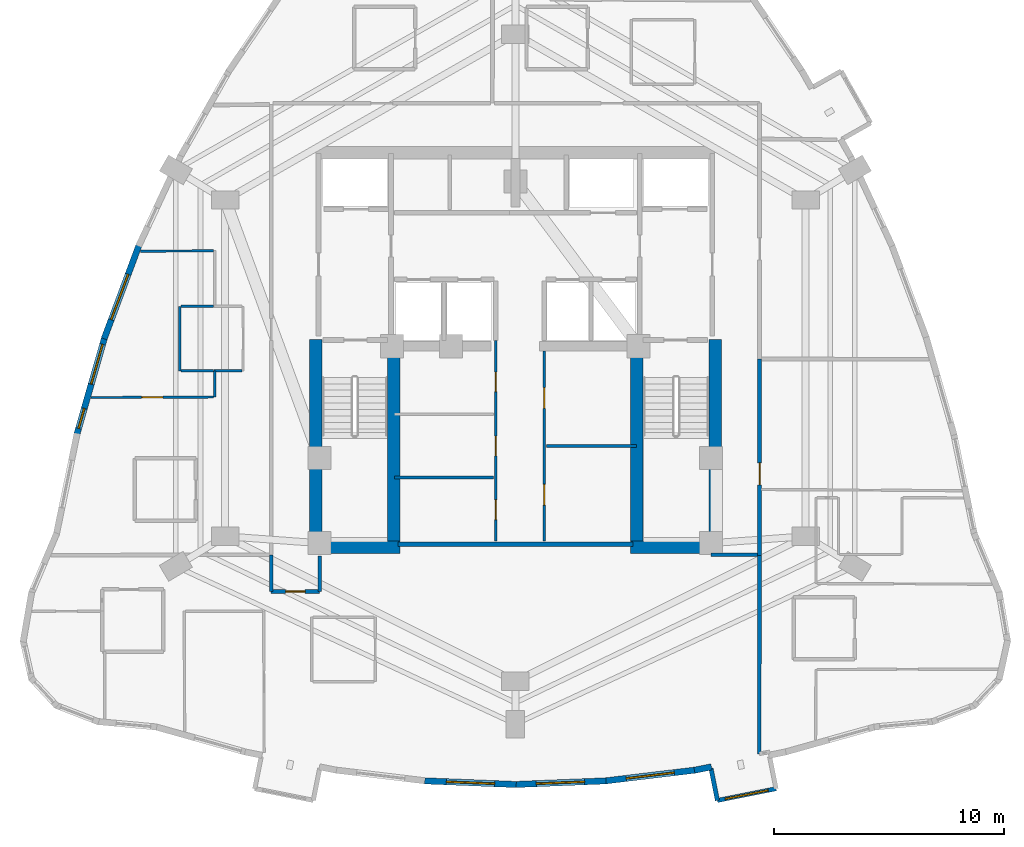
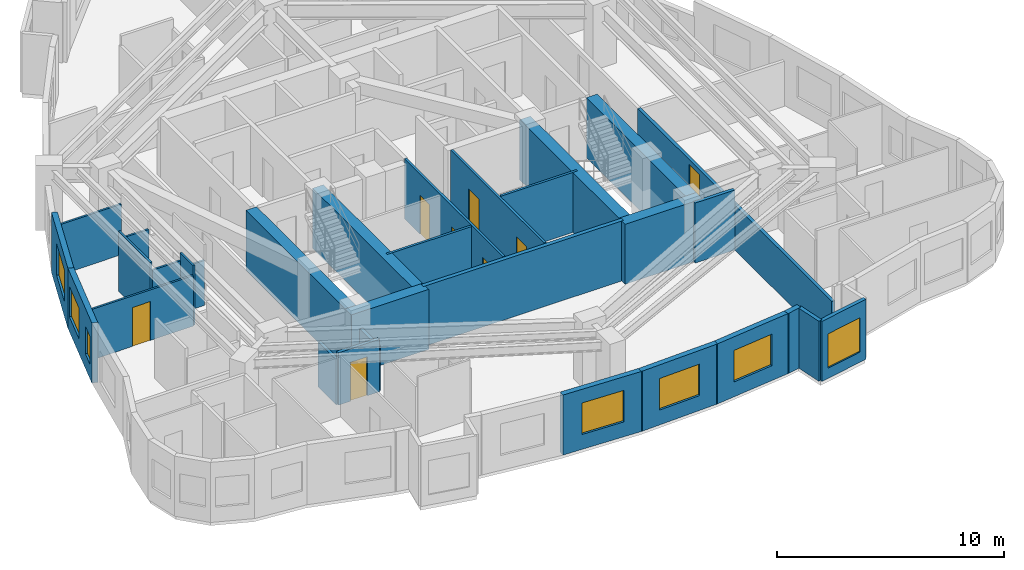
# One storey, part 6 of 11: 32 walls, 8 doors, 7 windows, 15 openings.
"""IFC4 building model written with IfcOpenShell, lengths in metres."""

from ifc_helpers import new_model, si_unit, direction, frame, frame_2d, origin, place, context, subcontext, project, spatial, rectangle, extrude, material, layer, layer_set, type_object, element, fill, save


model = new_model("IFC4")

# Units and contexts
model_context = context("Model", 3, precision=1e-05, world=origin(), true_north=direction((0.0, 1.0)))
body_context = subcontext(model_context, "Body", "Model", "MODEL_VIEW")
ifc_project = project(units=[si_unit("LENGTHUNIT", "METRE"), si_unit("AREAUNIT", "SQUARE_METRE"), si_unit("VOLUMEUNIT", "CUBIC_METRE"), si_unit("PLANEANGLEUNIT", "RADIAN"), si_unit("MASSUNIT", "GRAM", prefix="KILO")], contexts=[model_context])

# Site, building, storey
site_placement = place(None, origin())
site = spatial("IfcSite", under=ifc_project, at=site_placement, CompositionType="ELEMENT")
building_placement = place(site_placement, origin())
building = spatial("IfcBuilding", under=site, at=building_placement, Name="Miruveldt Soraemaru", CompositionType="ELEMENT")
storey_placement = place(building_placement, frame((0.0, 0.0, 156.39990234375)))
storey = spatial("IfcBuildingStorey", under=building, at=storey_placement, Name="L43", CompositionType="ELEMENT", Elevation=156.39990234375)

# Wall
ifc_material_1 = material(Name="White powder-coated aluminium EN AW-6060 T6", Category="aluminium")
ifc_layer_1 = layer(ifc_material_1, 0.18994140625, Name="White powder-coated aluminium EN AW-6060 T6", Category="aluminium")
ifc_layer_set_1 = layer_set([ifc_layer_1], Name="White powder-coated aluminium EN AW-6060 T6")
wall_type_1 = type_object("IfcWallType", Name="WALL-BAY-ALU190", PredefinedType="SOLIDWALL", material=ifc_layer_set_1)
wall_1_placement = place(storey_placement, frame((52.490234375, 25.728271484375, 0.0), z_axis=(0.0, 0.0, 1.0), x_axis=(0.196149079112, -0.980574086321, 0.0)))
element("IfcWall", 1, at=wall_1_placement, inside=storey, type_object=wall_type_1, Name="L43 Bay Window Side Cheek 2L", PredefinedType="SOLIDWALL", context=body_context, shape_type="SweptSolid", body=[
    extrude(rectangle(XDim=1.425048828125, YDim=0.18994140625, at=frame_2d((0.71240234375, 0.0))), origin(), (0.0, 0.0, 1.0), 3.235107421875),
])

# Wall, opening, window
wall_2_placement = place(storey_placement, frame((52.769775390625, 24.330810546875, 0.0), z_axis=(0.0, 0.0, 1.0), x_axis=(0.980569838849, 0.196170311564, 0.0)))
wall_2 = element("IfcWall", 2, at=wall_2_placement, inside=storey, type_object=wall_type_1, Name="L43 Bay Window Front Frame 2", PredefinedType="SOLIDWALL", context=body_context, shape_type="SweptSolid", body=[
    extrude(rectangle(XDim=2.599853515625, YDim=0.18994140625, at=frame_2d((1.2998046875, 0.0))), origin(), (0.0, 0.0, 1.0), 3.235107421875),
])
opening_1_placement = place(wall_2_placement, frame((0.35009765625, 0.0, 0.550048828125)))
opening_1 = element("IfcOpeningElement", 3, at=opening_1_placement, cuts=wall_2, Name="Opening WN-6", PredefinedType="OPENING", context=body_context, shape_type="SweptSolid", body=[
    extrude(rectangle(XDim=1.89990234375, YDim=1.85009765625, at=frame_2d((0.949951171875, 0.925048828125))), frame((0.0, 0.10498046875, 0.0), z_axis=(0.0, -1.0, 0.0), x_axis=(1.0, 0.0, 0.0)), (0.0, 0.0, 1.0), 0.2099609375),
])
ifc_material_2 = material(Name="Triple low-e insulated glazing", Category="glass")
window_type_1 = type_object("IfcWindowType", Name="WIN-BAYW-1900x1850", PartitioningType="SINGLE_PANEL", PredefinedType="WINDOW", material=ifc_material_2)
window_1_placement = place(opening_1_placement, origin())
window_1 = element("IfcWindow", 4, at=window_1_placement, inside=storey, type_object=window_type_1, Name="L43 Projecting Bay Window 2", OverallHeight=1.85009765625, OverallWidth=1.89990234375, PartitioningType="SINGLE_PANEL", PredefinedType="WINDOW", context=body_context, shape_type="SweptSolid", body=[
    extrude(rectangle(XDim=1.89990234375, YDim=1.85009765625, at=frame_2d((0.949951171875, 0.925048828125))), frame((0.0, 0.030029296875, 0.0), z_axis=(0.0, -1.0, 0.0), x_axis=(1.0, 0.0, 0.0)), (0.0, 0.0, 1.0), 0.06005859375),
])
fill(opening_1, window_1)

# Walls
ifc_material_3 = material(Name="Concrete C70/85 (70 MPa)", Category="concrete")
ifc_layer_2 = layer(ifc_material_3, 0.550048828125, Name="Concrete C70/85 (70 MPa)", Category="concrete")
ifc_layer_set_2 = layer_set([ifc_layer_2], Name="Concrete C70/85 (70 MPa)")
wall_type_2 = type_object("IfcWallType", Name="WALL-CW-550", PredefinedType="SHEAR", material=ifc_layer_set_2)
for number, where, z_axis, x_axis, name in (
    (5, (35.050048828125, 35.324951171875, 0.0), (0.0, 0.0, 1.0), (1.0, 0.0, 0.0), "L43 Central Core Shear Wall S1"),
    (6, (49.0, 35.324951171875, 0.0), (0.0, 0.0, 1.0), (1.0, 0.0, 0.0), "L43 Central Core Shear Wall S2"),
):
    element("IfcWall", number, at=place(storey_placement, frame(where, z_axis=z_axis, x_axis=x_axis)), inside=storey, type_object=wall_type_2, Name=name, PredefinedType="SHEAR", context=body_context, shape_type="SweptSolid", body=[
        extrude(rectangle(XDim=3.949951171875, YDim=0.550048828125, at=frame_2d((1.97509765625, 0.0))), origin(), (0.0, 0.0, 1.0), 3.235107421875),
    ])
for number, where, z_axis, x_axis, name in (
    (7, (35.324951171875, 35.050048828125, 0.0), (0.0, 0.0, 1.0), (0.0, 1.0, 0.0), "L43 Central Core Shear Wall W1"),
    (8, (52.675048828125, 35.050048828125, 0.0), (0.0, 0.0, 1.0), (0.0, 1.0, 0.0), "L43 Central Core Shear Wall E1"),
):
    element("IfcWall", number, at=place(storey_placement, frame(where, z_axis=z_axis, x_axis=x_axis)), inside=storey, type_object=wall_type_2, Name=name, PredefinedType="SHEAR", context=body_context, shape_type="SweptSolid", body=[
        extrude(rectangle(XDim=9.300048828125, YDim=0.550048828125, at=frame_2d((4.64990234375, 0.0))), origin(), (0.0, 0.0, 1.0), 3.235107421875),
    ])
for number, where, z_axis, x_axis, name in (
    (9, (38.72509765625, 35.39990234375, 0.0), (0.0, 0.0, 1.0), (0.0, 1.0, 0.0), "L43 Central Core Shear Wall SW-INT"),
    (10, (49.27490234375, 35.39990234375, 0.0), (0.0, 0.0, 1.0), (0.0, 1.0, 0.0), "L43 Central Core Shear Wall SE-INT"),
):
    element("IfcWall", number, at=place(storey_placement, frame(where, z_axis=z_axis, x_axis=x_axis)), inside=storey, type_object=wall_type_2, Name=name, PredefinedType="SHEAR", context=body_context, shape_type="SweptSolid", body=[
        extrude(rectangle(XDim=8.9501953125, YDim=0.550048828125, at=frame_2d((4.47509765625, 0.0))), origin(), (0.0, 0.0, 1.0), 3.235107421875),
    ])

# Wall, opening, window
ifc_material_4 = material(Name="Precast concrete C45/55 (45 MPa)", Category="concrete")
ifc_layer_3 = layer(ifc_material_4, 0.27001953125, Name="Precast concrete C45/55 (45 MPa)", Category="concrete")
ifc_layer_set_3 = layer_set([ifc_layer_3], Name="Precast concrete C45/55 (45 MPa)")
wall_type_3 = type_object("IfcWallType", Name="WALL-EXT-PC270", PredefinedType="SOLIDWALL", material=ifc_layer_set_3)
wall_3_placement = place(storey_placement, frame((27.666259765625, 48.458984375, 0.0), z_axis=(0.0, 0.0, 1.0), x_axis=(-0.349059830359, -0.937100440097, 0.0)))
wall_3 = element("IfcWall", 11, at=wall_3_placement, inside=storey, type_object=wall_type_3, Name="L43 Precast Concrete Facade Wall 12", PredefinedType="SOLIDWALL", context=body_context, shape_type="SweptSolid", body=[
    extrude(rectangle(XDim=4.358154296875, YDim=0.27001953125, at=frame_2d((2.17919921875, 0.0))), origin(), (0.0, 0.0, 1.0), 3.235107421875),
])
opening_2_placement = place(wall_3_placement, frame((1.375, 0.0, 0.800048828125)))
opening_2 = element("IfcOpeningElement", 12, at=opening_2_placement, cuts=wall_3, Name="Opening WN-1", PredefinedType="OPENING", context=body_context, shape_type="SweptSolid", body=[
    extrude(rectangle(XDim=2.10009765625, YDim=1.699951171875, at=frame_2d((1.050048828125, 0.85009765625))), frame((0.0, 0.14501953125, 0.0), z_axis=(0.0, -1.0, 0.0), x_axis=(1.0, 0.0, 0.0)), (0.0, 0.0, 1.0), 0.2900390625),
])
window_type_2 = type_object("IfcWindowType", Name="WIN-PUNCH-2100x1700", PartitioningType="SINGLE_PANEL", PredefinedType="WINDOW", material=ifc_material_2)
window_2_placement = place(opening_2_placement, origin())
window_2 = element("IfcWindow", 13, at=window_2_placement, inside=storey, type_object=window_type_2, Name="L43 Punched Triple-Glazed Window 12.1", OverallHeight=1.699951171875, OverallWidth=2.10009765625, PartitioningType="SINGLE_PANEL", PredefinedType="WINDOW", context=body_context, shape_type="SweptSolid", body=[
    extrude(rectangle(XDim=2.10009765625, YDim=1.699951171875, at=frame_2d((1.050048828125, 0.85009765625))), frame((0.0, 0.030029296875, 0.0), z_axis=(0.0, -1.0, 0.0), x_axis=(1.0, 0.0, 0.0)), (0.0, 0.0, 1.0), 0.06005859375),
])
fill(opening_2, window_2)

# Wall, openings, windows
wall_4_placement = place(storey_placement, frame((26.1669921875, 44.44140625, 0.0), z_axis=(0.0, 0.0, 1.0), x_axis=(-0.274962298685, -0.961455008985, 0.0)))
wall_4 = element("IfcWall", 14, at=wall_4_placement, inside=storey, type_object=wall_type_3, Name="L43 Precast Concrete Facade Wall 13", PredefinedType="SOLIDWALL", context=body_context, shape_type="SweptSolid", body=[
    extrude(rectangle(XDim=4.412109375, YDim=0.27001953125, at=frame_2d((2.2060546875, 0.0))), origin(), (0.0, 0.0, 1.0), 3.235107421875),
])
opening_3_placement = place(wall_4_placement, frame((0.320068359375, 0.0, 0.800048828125)))
opening_3 = element("IfcOpeningElement", 15, at=opening_3_placement, cuts=wall_4, Name="Opening WN-2", PredefinedType="OPENING", context=body_context, shape_type="SweptSolid", body=[
    extrude(rectangle(XDim=1.800048828125, YDim=1.64990234375, at=frame_2d((0.89990234375, 0.824951171875))), frame((0.0, 0.14501953125, 0.0), z_axis=(0.0, -1.0, 0.0), x_axis=(1.0, 0.0, 0.0)), (0.0, 0.0, 1.0), 0.2900390625),
])
opening_4_placement = place(wall_4_placement, frame((3.216064453125, 0.0, 0.780029296875)))
opening_4 = element("IfcOpeningElement", 16, at=opening_4_placement, cuts=wall_4, Name="Opening WN-7", PredefinedType="OPENING", context=body_context, shape_type="SweptSolid", body=[
    extrude(rectangle(XDim=0.89990234375, YDim=1.5, at=frame_2d((0.449951171875, 0.75))), frame((0.0, 0.14501953125, 0.0), z_axis=(0.0, -1.0, 0.0), x_axis=(1.0, 0.0, 0.0)), (0.0, 0.0, 1.0), 0.2900390625),
])
window_type_3 = type_object("IfcWindowType", Name="WIN-PUNCH-1800x1650", PartitioningType="SINGLE_PANEL", PredefinedType="WINDOW", material=ifc_material_2)
window_3_placement = place(opening_3_placement, origin())
window_3 = element("IfcWindow", 17, at=window_3_placement, inside=storey, type_object=window_type_3, Name="L43 Punched Triple-Glazed Window 13.1", OverallHeight=1.64990234375, OverallWidth=1.800048828125, PartitioningType="SINGLE_PANEL", PredefinedType="WINDOW", context=body_context, shape_type="SweptSolid", body=[
    extrude(rectangle(XDim=1.800048828125, YDim=1.64990234375, at=frame_2d((0.89990234375, 0.824951171875))), frame((0.0, 0.030029296875, 0.0), z_axis=(0.0, -1.0, 0.0), x_axis=(1.0, 0.0, 0.0)), (0.0, 0.0, 1.0), 0.06005859375),
])
fill(opening_3, window_3)
window_type_4 = type_object("IfcWindowType", Name="WIN-PUNCH-900x1500", PartitioningType="SINGLE_PANEL", PredefinedType="WINDOW", material=ifc_material_2)
window_4_placement = place(opening_4_placement, origin())
window_4 = element("IfcWindow", 18, at=window_4_placement, inside=storey, type_object=window_type_4, Name="L43 Punched Triple-Glazed Window 13.2", OverallHeight=1.5, OverallWidth=0.89990234375, PartitioningType="SINGLE_PANEL", PredefinedType="WINDOW", context=body_context, shape_type="SweptSolid", body=[
    extrude(rectangle(XDim=0.89990234375, YDim=1.5, at=frame_2d((0.449951171875, 0.75))), frame((0.0, 0.030029296875, 0.0), z_axis=(0.0, -1.0, 0.0), x_axis=(1.0, 0.0, 0.0)), (0.0, 0.0, 1.0), 0.06005859375),
])
fill(opening_4, window_4)

# Wall, opening, window
wall_5_placement = place(storey_placement, frame((40.063232421875, 25.18017578125, 0.0), z_axis=(0.0, 0.0, 1.0), x_axis=(0.999202723856, -0.039923885573, 0.0)))
wall_5 = element("IfcWall", 19, at=wall_5_placement, inside=storey, type_object=wall_type_3, Name="L43 Precast Concrete Facade Wall 24", PredefinedType="SOLIDWALL", context=body_context, shape_type="SweptSolid", body=[
    extrude(rectangle(XDim=3.974853515625, YDim=0.27001953125, at=frame_2d((1.9873046875, 0.0))), origin(), (0.0, 0.0, 1.0), 3.235107421875),
])
opening_5_placement = place(wall_5_placement, frame((0.93798828125, 0.0, 0.800048828125)))
opening_5 = element("IfcOpeningElement", 20, at=opening_5_placement, cuts=wall_5, Name="Opening WN-1", PredefinedType="OPENING", context=body_context, shape_type="SweptSolid", body=[
    extrude(rectangle(XDim=2.10009765625, YDim=1.699951171875, at=frame_2d((1.050048828125, 0.85009765625))), frame((0.0, 0.14501953125, 0.0), z_axis=(0.0, -1.0, 0.0), x_axis=(1.0, 0.0, 0.0)), (0.0, 0.0, 1.0), 0.2900390625),
])
window_5_placement = place(opening_5_placement, origin())
window_5 = element("IfcWindow", 21, at=window_5_placement, inside=storey, type_object=window_type_2, Name="L43 Punched Triple-Glazed Window 24.1", OverallHeight=1.699951171875, OverallWidth=2.10009765625, PartitioningType="SINGLE_PANEL", PredefinedType="WINDOW", context=body_context, shape_type="SweptSolid", body=[
    extrude(rectangle(XDim=2.10009765625, YDim=1.699951171875, at=frame_2d((1.050048828125, 0.85009765625))), frame((0.0, 0.030029296875, 0.0), z_axis=(0.0, -1.0, 0.0), x_axis=(1.0, 0.0, 0.0)), (0.0, 0.0, 1.0), 0.06005859375),
])
fill(opening_5, window_5)

wall_6_placement = place(storey_placement, frame((43.965087890625, 25.021484375, 0.0), z_axis=(0.0, 0.0, 1.0), x_axis=(0.999202723856, 0.039923885573, 0.0)))
wall_6 = element("IfcWall", 22, at=wall_6_placement, inside=storey, type_object=wall_type_3, Name="L43 Precast Concrete Facade Wall 25", PredefinedType="SOLIDWALL", context=body_context, shape_type="SweptSolid", body=[
    extrude(rectangle(XDim=3.974853515625, YDim=0.27001953125, at=frame_2d((1.9873046875, 0.0))), origin(), (0.0, 0.0, 1.0), 3.235107421875),
])
opening_6_placement = place(wall_6_placement, frame((0.93798828125, 0.0, 0.800048828125)))
opening_6 = element("IfcOpeningElement", 23, at=opening_6_placement, cuts=wall_6, Name="Opening WN-1", PredefinedType="OPENING", context=body_context, shape_type="SweptSolid", body=[
    extrude(rectangle(XDim=2.10009765625, YDim=1.699951171875, at=frame_2d((1.050048828125, 0.85009765625))), frame((0.0, 0.14501953125, 0.0), z_axis=(0.0, -1.0, 0.0), x_axis=(1.0, 0.0, 0.0)), (0.0, 0.0, 1.0), 0.2900390625),
])
window_6_placement = place(opening_6_placement, origin())
window_6 = element("IfcWindow", 24, at=window_6_placement, inside=storey, type_object=window_type_2, Name="L43 Punched Triple-Glazed Window 25.1", OverallHeight=1.699951171875, OverallWidth=2.10009765625, PartitioningType="SINGLE_PANEL", PredefinedType="WINDOW", context=body_context, shape_type="SweptSolid", body=[
    extrude(rectangle(XDim=2.10009765625, YDim=1.699951171875, at=frame_2d((1.050048828125, 0.85009765625))), frame((0.0, 0.030029296875, 0.0), z_axis=(0.0, -1.0, 0.0), x_axis=(1.0, 0.0, 0.0)), (0.0, 0.0, 1.0), 0.06005859375),
])
fill(opening_6, window_6)

wall_7_placement = place(storey_placement, frame((47.866943359375, 25.174560546875, 0.0), z_axis=(0.0, 0.0, 1.0), x_axis=(0.99287626081, 0.119150034495, 0.0)))
wall_7 = element("IfcWall", 25, at=wall_7_placement, inside=storey, type_object=wall_type_3, Name="L43 Precast Concrete Facade Wall 26", PredefinedType="SOLIDWALL", context=body_context, shape_type="SweptSolid", body=[
    extrude(rectangle(XDim=3.999755859375, YDim=0.27001953125, at=frame_2d((2.0, 0.0))), origin(), (0.0, 0.0, 1.0), 3.235107421875),
])
opening_7_placement = place(wall_7_placement, frame((0.949951171875, 0.0, 0.800048828125)))
opening_7 = element("IfcOpeningElement", 26, at=opening_7_placement, cuts=wall_7, Name="Opening WN-1", PredefinedType="OPENING", context=body_context, shape_type="SweptSolid", body=[
    extrude(rectangle(XDim=2.10009765625, YDim=1.699951171875, at=frame_2d((1.050048828125, 0.85009765625))), frame((0.0, 0.14501953125, 0.0), z_axis=(0.0, -1.0, 0.0), x_axis=(1.0, 0.0, 0.0)), (0.0, 0.0, 1.0), 0.2900390625),
])
window_7_placement = place(opening_7_placement, origin())
window_7 = element("IfcWindow", 27, at=window_7_placement, inside=storey, type_object=window_type_2, Name="L43 Punched Triple-Glazed Window 26.1", OverallHeight=1.699951171875, OverallWidth=2.10009765625, PartitioningType="SINGLE_PANEL", PredefinedType="WINDOW", context=body_context, shape_type="SweptSolid", body=[
    extrude(rectangle(XDim=2.10009765625, YDim=1.699951171875, at=frame_2d((1.050048828125, 0.85009765625))), frame((0.0, 0.030029296875, 0.0), z_axis=(0.0, -1.0, 0.0), x_axis=(1.0, 0.0, 0.0)), (0.0, 0.0, 1.0), 0.06005859375),
])
fill(opening_7, window_7)

# Wall
wall_8_placement = place(storey_placement, frame((51.76904296875, 25.64013671875, 0.0), z_axis=(0.0, 0.0, 1.0), x_axis=(0.980580675691, 0.196116135138, 0.0)))
element("IfcWall", 28, at=wall_8_placement, inside=storey, type_object=wall_type_3, Name="L43 Precast Pier Wall 27A", PredefinedType="SOLIDWALL", context=body_context, shape_type="SweptSolid", body=[
    extrude(rectangle(XDim=0.75439453125, YDim=0.27001953125, at=frame_2d((0.377197265625, 0.0))), origin(), (0.0, 0.0, 1.0), 3.235107421875),
])

# Wall, opening, door
ifc_material_5 = material(Name="Gypsum plasterboard lining", Category="gypsum")
ifc_layer_4 = layer(ifc_material_5, 0.10009765625, Name="Gypsum plasterboard lining", Category="gypsum")
ifc_layer_set_4 = layer_set([ifc_layer_4], Name="Gypsum plasterboard lining")
wall_type_4 = type_object("IfcWallType", Name="WALL-INT-P100", PredefinedType="PARTITIONING", material=ifc_layer_set_4)
wall_9_placement = place(storey_placement, frame((30.89990234375, 41.843017578125, 0.0), z_axis=(0.0, 0.0, 1.0), x_axis=(-0.999993607885, -0.003575498575, 0.0)))
wall_9 = element("IfcWall", 29, at=wall_9_placement, inside=storey, type_object=wall_type_4, Name="L43 Partition Wall 41", PredefinedType="PARTITIONING", context=body_context, shape_type="SweptSolid", body=[
    extrude(rectangle(XDim=5.325927734375, YDim=0.10009765625, at=frame_2d((2.6630859375, 0.0))), origin(), (0.0, 0.0, 1.0), 2.72314453125),
])
opening_8_placement = place(wall_9_placement, frame((2.202880859375, 0.0, 0.0)))
opening_8 = element("IfcOpeningElement", 30, at=opening_8_placement, cuts=wall_9, Name="Opening D3A", PredefinedType="OPENING", context=body_context, shape_type="SweptSolid", body=[
    extrude(rectangle(XDim=0.919921875, YDim=2.10009765625, at=frame_2d((0.4599609375, 1.050048828125))), frame((0.0, 0.06005859375, 0.0), z_axis=(0.0, -1.0, 0.0), x_axis=(1.0, 0.0, 0.0)), (0.0, 0.0, 1.0), 0.1201171875),
])
ifc_material_6 = material(Name="Anodised aluminium EN AW-6063 T6", Category="aluminium")
door_type_1 = type_object("IfcDoorType", Name="DOOR-INT-920", OperationType="NOTDEFINED", PredefinedType="DOOR", material=ifc_material_6)
door_1_placement = place(opening_8_placement, origin())
door_1 = element("IfcDoor", 31, at=door_1_placement, inside=storey, type_object=door_type_1, Name="L43 Unit 4303 BD1 Door", OperationType="SINGLE_SWING_RIGHT", OverallHeight=2.10009765625, OverallWidth=0.919921875, PredefinedType="DOOR", context=body_context, shape_type="SweptSolid", body=[
    extrude(rectangle(XDim=0.919921875, YDim=2.10009765625, at=frame_2d((0.4599609375, 1.050048828125))), frame((0.0, 0.02490234375, 0.0), z_axis=(0.0, -1.0, 0.0), x_axis=(1.0, 0.0, 0.0)), (0.0, 0.0, 1.0), 0.050048828125),
])
fill(opening_8, door_1)

# Walls
wall_10_placement = place(storey_placement, frame((27.718994140625, 48.172119140625, 0.0), z_axis=(0.0, 0.0, 1.0), x_axis=(0.999971713347, 0.007521469638, 0.0)))
element("IfcWall", 32, at=wall_10_placement, inside=storey, type_object=wall_type_4, Name="L43 Partition Wall 38", PredefinedType="PARTITIONING", context=body_context, shape_type="SweptSolid", body=[
    extrude(rectangle(XDim=3.180908203125, YDim=0.10009765625, at=frame_2d((1.59033203125, 0.0))), origin(), (0.0, 0.0, 1.0), 2.72314453125),
])
wall_11_placement = place(storey_placement, frame((29.427001953125, 45.781005859375, 0.0), z_axis=(0.0, 0.0, 1.0), x_axis=(0.0, -1.0, 0.0)))
element("IfcWall", 33, at=wall_11_placement, inside=storey, type_object=wall_type_4, Name="L43 Partition Wall 44", PredefinedType="PARTITIONING", context=body_context, shape_type="SweptSolid", body=[
    extrude(rectangle(XDim=2.800048828125, YDim=0.10009765625, at=frame_2d((1.39990234375, 0.0))), origin(), (0.0, 0.0, 1.0), 3.235107421875),
])
for number, where, z_axis, x_axis, name in (
    (34, (30.89990234375, 45.781005859375, 0.0), (0.0, 0.0, 1.0), (-1.0, 0.0, 0.0), "L43 Partition Wall 43"),
    (35, (29.47705078125, 42.98095703125, 0.0), (0.0, 0.0, 1.0), (1.0, 0.0, 0.0), "L43 Partition Wall 45"),
):
    element("IfcWall", number, at=place(storey_placement, frame(where, z_axis=z_axis, x_axis=x_axis)), inside=storey, type_object=wall_type_4, Name=name, PredefinedType="PARTITIONING", context=body_context, shape_type="SweptSolid", body=[
        extrude(rectangle(XDim=1.4228515625, YDim=0.10009765625, at=frame_2d((0.71142578125, 0.0))), origin(), (0.0, 0.0, 1.0), 2.822998046875),
    ])
wall_12_placement = place(storey_placement, frame((30.909912109375, 42.98095703125, 0.0), z_axis=(0.0, 0.0, 1.0), x_axis=(1.0, 0.0, 0.0)))
element("IfcWall", 36, at=wall_12_placement, inside=storey, type_object=wall_type_4, Name="L43 Partition Wall 37", PredefinedType="PARTITIONING", context=body_context, shape_type="SweptSolid", body=[
    extrude(rectangle(XDim=1.217041015625, YDim=0.10009765625, at=frame_2d((0.6083984375, 0.0))), origin(), (0.0, 0.0, 1.0), 2.423095703125),
])
wall_13_placement = place(storey_placement, frame((30.949951171875, 42.98095703125, 0.0), z_axis=(0.0, 0.0, 1.0), x_axis=(0.0, -1.0, 0.0)))
element("IfcWall", 37, at=wall_13_placement, inside=storey, type_object=wall_type_4, Name="L43 Partition Wall 40", PredefinedType="PARTITIONING", context=body_context, shape_type="SweptSolid", body=[
    extrude(rectangle(XDim=1.137939453125, YDim=0.10009765625, at=frame_2d((0.56884765625, 0.0))), origin(), (0.0, 0.0, 1.0), 3.235107421875),
])

# Wall, openings, doors
ifc_layer_5 = layer(ifc_material_5, 0.1201171875, Name="Gypsum plasterboard lining", Category="gypsum")
ifc_layer_set_5 = layer_set([ifc_layer_5], Name="Gypsum plasterboard lining")
wall_type_5 = type_object("IfcWallType", Name="WALL-INT-P120", PredefinedType="PARTITIONING", material=ifc_layer_set_5)
wall_14_placement = place(storey_placement, frame((43.14990234375, 35.60009765625, 0.0), z_axis=(0.0, 0.0, 1.0), x_axis=(0.0, 1.0, 0.0)))
wall_14 = element("IfcWall", 38, at=wall_14_placement, inside=storey, type_object=wall_type_5, Name="L43 Core Compartment Wall SP-WL", PredefinedType="PARTITIONING", context=body_context, shape_type="SweptSolid", body=[
    extrude(rectangle(XDim=8.699951171875, YDim=0.1201171875, at=frame_2d((4.35009765625, 0.0))), origin(), (0.0, 0.0, 1.0), 3.235107421875),
])
opening_9_placement = place(wall_14_placement, frame((0.925048828125, 0.0, 0.0)))
opening_9 = element("IfcOpeningElement", 39, at=opening_9_placement, cuts=wall_14, Name="Opening FD3", PredefinedType="OPENING", context=body_context, shape_type="SweptSolid", body=[
    extrude(rectangle(XDim=0.85009765625, YDim=2.10009765625, at=frame_2d((0.425048828125, 1.050048828125))), frame((0.0, 0.070068359375, 0.0), z_axis=(0.0, -1.0, 0.0), x_axis=(1.0, 0.0, 0.0)), (0.0, 0.0, 1.0), 0.14013671875),
])
opening_10_placement = place(wall_14_placement, frame((3.695068359375, 0.0, 0.0)))
opening_10 = element("IfcOpeningElement", 40, at=opening_10_placement, cuts=wall_14, Name="Opening FD3", PredefinedType="OPENING", context=body_context, shape_type="SweptSolid", body=[
    extrude(rectangle(XDim=0.85009765625, YDim=2.10009765625, at=frame_2d((0.425048828125, 1.050048828125))), frame((0.0, 0.070068359375, 0.0), z_axis=(0.0, -1.0, 0.0), x_axis=(1.0, 0.0, 0.0)), (0.0, 0.0, 1.0), 0.14013671875),
])
opening_11_placement = place(wall_14_placement, frame((6.47509765625, 0.0, 0.0)))
opening_11 = element("IfcOpeningElement", 41, at=opening_11_placement, cuts=wall_14, Name="Opening FD3", PredefinedType="OPENING", context=body_context, shape_type="SweptSolid", body=[
    extrude(rectangle(XDim=0.85009765625, YDim=2.10009765625, at=frame_2d((0.425048828125, 1.050048828125))), frame((0.0, 0.070068359375, 0.0), z_axis=(0.0, -1.0, 0.0), x_axis=(1.0, 0.0, 0.0)), (0.0, 0.0, 1.0), 0.14013671875),
])
door_type_2 = type_object("IfcDoorType", Name="DOOR-FD3-850", OperationType="NOTDEFINED", PredefinedType="DOOR", material=ifc_material_6)
door_2_placement = place(opening_9_placement, origin())
door_2 = element("IfcDoor", 42, at=door_2_placement, inside=storey, type_object=door_type_2, Name="L43 Fire Door", OperationType="SINGLE_SWING_LEFT", OverallHeight=2.10009765625, OverallWidth=0.85009765625, PredefinedType="DOOR", context=body_context, shape_type="SweptSolid", body=[
    extrude(rectangle(XDim=0.85009765625, YDim=2.10009765625, at=frame_2d((0.425048828125, 1.050048828125))), frame((0.0, 0.02490234375, 0.0), z_axis=(0.0, -1.0, 0.0), x_axis=(1.0, 0.0, 0.0)), (0.0, 0.0, 1.0), 0.050048828125),
])
fill(opening_9, door_2)
door_3_placement = place(opening_10_placement, origin())
door_3 = element("IfcDoor", 43, at=door_3_placement, inside=storey, type_object=door_type_2, Name="L43 Fire Door", OperationType="SINGLE_SWING_LEFT", OverallHeight=2.10009765625, OverallWidth=0.85009765625, PredefinedType="DOOR", context=body_context, shape_type="SweptSolid", body=[
    extrude(rectangle(XDim=0.85009765625, YDim=2.10009765625, at=frame_2d((0.425048828125, 1.050048828125))), frame((0.0, 0.02490234375, 0.0), z_axis=(0.0, -1.0, 0.0), x_axis=(1.0, 0.0, 0.0)), (0.0, 0.0, 1.0), 0.050048828125),
])
fill(opening_10, door_3)
door_4_placement = place(opening_11_placement, origin())
door_4 = element("IfcDoor", 44, at=door_4_placement, inside=storey, type_object=door_type_2, Name="L43 Fire Door", OperationType="SINGLE_SWING_LEFT", OverallHeight=2.10009765625, OverallWidth=0.85009765625, PredefinedType="DOOR", context=body_context, shape_type="SweptSolid", body=[
    extrude(rectangle(XDim=0.85009765625, YDim=2.10009765625, at=frame_2d((0.425048828125, 1.050048828125))), frame((0.0, 0.02490234375, 0.0), z_axis=(0.0, -1.0, 0.0), x_axis=(1.0, 0.0, 0.0)), (0.0, 0.0, 1.0), 0.050048828125),
])
fill(opening_11, door_4)

wall_15_placement = place(storey_placement, frame((45.25, 35.60009765625, 0.0), z_axis=(0.0, 0.0, 1.0), x_axis=(0.0, 1.0, 0.0)))
wall_15 = element("IfcWall", 45, at=wall_15_placement, inside=storey, type_object=wall_type_5, Name="L43 Core Compartment Wall SP-EL", PredefinedType="PARTITIONING", context=body_context, shape_type="SweptSolid", body=[
    extrude(rectangle(XDim=8.25, YDim=0.1201171875, at=frame_2d((4.125, 0.0))), origin(), (0.0, 0.0, 1.0), 3.235107421875),
])
opening_12_placement = place(wall_15_placement, frame((1.550048828125, 0.0, 0.0)))
opening_12 = element("IfcOpeningElement", 46, at=opening_12_placement, cuts=wall_15, Name="Opening D3", PredefinedType="OPENING", context=body_context, shape_type="SweptSolid", body=[
    extrude(rectangle(XDim=0.89990234375, YDim=2.10009765625, at=frame_2d((0.449951171875, 1.050048828125))), frame((0.0, 0.070068359375, 0.0), z_axis=(0.0, -1.0, 0.0), x_axis=(1.0, 0.0, 0.0)), (0.0, 0.0, 1.0), 0.14013671875),
])
opening_13_placement = place(wall_15_placement, frame((5.75, 0.0, 0.0)))
opening_13 = element("IfcOpeningElement", 47, at=opening_13_placement, cuts=wall_15, Name="Opening D3", PredefinedType="OPENING", context=body_context, shape_type="SweptSolid", body=[
    extrude(rectangle(XDim=0.89990234375, YDim=2.10009765625, at=frame_2d((0.449951171875, 1.050048828125))), frame((0.0, 0.070068359375, 0.0), z_axis=(0.0, -1.0, 0.0), x_axis=(1.0, 0.0, 0.0)), (0.0, 0.0, 1.0), 0.14013671875),
])
door_type_3 = type_object("IfcDoorType", Name="DOOR-INT-900", OperationType="NOTDEFINED", PredefinedType="DOOR", material=ifc_material_6)
door_5_placement = place(opening_12_placement, origin())
door_5 = element("IfcDoor", 48, at=door_5_placement, inside=storey, type_object=door_type_3, Name="L43 Fire Door", OperationType="SINGLE_SWING_LEFT", OverallHeight=2.10009765625, OverallWidth=0.89990234375, PredefinedType="DOOR", context=body_context, shape_type="SweptSolid", body=[
    extrude(rectangle(XDim=0.89990234375, YDim=2.10009765625, at=frame_2d((0.449951171875, 1.050048828125))), frame((0.0, 0.02490234375, 0.0), z_axis=(0.0, -1.0, 0.0), x_axis=(1.0, 0.0, 0.0)), (0.0, 0.0, 1.0), 0.050048828125),
])
fill(opening_12, door_5)
door_6_placement = place(opening_13_placement, origin())
door_6 = element("IfcDoor", 49, at=door_6_placement, inside=storey, type_object=door_type_3, Name="L43 Fire Door", OperationType="SINGLE_SWING_LEFT", OverallHeight=2.10009765625, OverallWidth=0.89990234375, PredefinedType="DOOR", context=body_context, shape_type="SweptSolid", body=[
    extrude(rectangle(XDim=0.89990234375, YDim=2.10009765625, at=frame_2d((0.449951171875, 1.050048828125))), frame((0.0, 0.02490234375, 0.0), z_axis=(0.0, -1.0, 0.0), x_axis=(1.0, 0.0, 0.0)), (0.0, 0.0, 1.0), 0.050048828125),
])
fill(opening_13, door_6)

# Walls
wall_16_placement = place(storey_placement, frame((38.75, 38.35009765625, 0.0), z_axis=(0.0, 0.0, 1.0), x_axis=(1.0, 0.0, 0.0)))
element("IfcWall", 50, at=wall_16_placement, inside=storey, type_object=wall_type_5, Name="L43 Core Compartment Wall RL-W3A", PredefinedType="PARTITIONING", context=body_context, shape_type="SweptSolid", body=[
    extrude(rectangle(XDim=4.300048828125, YDim=0.1201171875, at=frame_2d((2.14990234375, 0.0))), origin(), (0.0, 0.0, 1.0), 3.235107421875),
])
wall_17_placement = place(storey_placement, frame((45.35009765625, 39.719970703125, 0.0), z_axis=(0.0, 0.0, 1.0), x_axis=(1.0, 0.0, 0.0)))
element("IfcWall", 51, at=wall_17_placement, inside=storey, type_object=wall_type_5, Name="L43 Core Compartment Wall RL-E3H", PredefinedType="PARTITIONING", context=body_context, shape_type="SweptSolid", body=[
    extrude(rectangle(XDim=3.89990234375, YDim=0.1201171875, at=frame_2d((1.949951171875, 0.0))), origin(), (0.0, 0.0, 1.0), 3.235107421875),
])

# Wall, opening, door
ifc_material_7 = material(Name="Concrete C40/50 (40 MPa)", Category="concrete")
ifc_layer_6 = layer(ifc_material_7, 0.159912109375, Name="Concrete C40/50 (40 MPa)", Category="concrete")
ifc_layer_set_6 = layer_set([ifc_layer_6], Name="Concrete C40/50 (40 MPa)")
wall_type_6 = type_object("IfcWallType", Name="WALL-INT-RC160", PredefinedType="SOLIDWALL", material=ifc_layer_set_6)
wall_18_placement = place(storey_placement, frame((54.60009765625, 34.9599609375, 0.0), z_axis=(0.0, 0.0, 1.0), x_axis=(0.0, 1.0, 0.0)))
wall_18 = element("IfcWall", 52, at=wall_18_placement, inside=storey, type_object=wall_type_6, Name="L43 Partition Wall 6", PredefinedType="SOLIDWALL", context=body_context, shape_type="SweptSolid", body=[
    extrude(rectangle(XDim=8.537109375, YDim=0.159912109375, at=frame_2d((4.2685546875, 0.0))), origin(), (0.0, 0.0, 1.0), 2.423095703125),
])
opening_14_placement = place(wall_18_placement, frame((3.072998046875, 0.0, 0.0)))
opening_14 = element("IfcOpeningElement", 53, at=opening_14_placement, cuts=wall_18, Name="Opening FD2", PredefinedType="OPENING", context=body_context, shape_type="SweptSolid", body=[
    extrude(rectangle(XDim=0.949951171875, YDim=2.14990234375, at=frame_2d((0.47509765625, 1.074951171875))), frame((0.0, 0.08984375, 0.0), z_axis=(0.0, -1.0, 0.0), x_axis=(1.0, 0.0, 0.0)), (0.0, 0.0, 1.0), 0.179931640625),
])
door_type_4 = type_object("IfcDoorType", Name="DOOR-FD2-950", OperationType="NOTDEFINED", PredefinedType="DOOR", material=ifc_material_6)
door_7_placement = place(opening_14_placement, origin())
door_7 = element("IfcDoor", 54, at=door_7_placement, inside=storey, type_object=door_type_4, Name="L43 Unit 4305 Entrance Fire Door", OperationType="SINGLE_SWING_RIGHT", OverallHeight=2.14990234375, OverallWidth=0.949951171875, PredefinedType="DOOR", context=body_context, shape_type="SweptSolid", body=[
    extrude(rectangle(XDim=0.949951171875, YDim=2.14990234375, at=frame_2d((0.47509765625, 1.074951171875))), frame((0.0, 0.02490234375, 0.0), z_axis=(0.0, -1.0, 0.0), x_axis=(1.0, 0.0, 0.0)), (0.0, 0.0, 1.0), 0.050048828125),
])
fill(opening_14, door_7)

wall_19_placement = place(storey_placement, frame((33.39990234375, 33.39990234375, 0.0), z_axis=(0.0, 0.0, 1.0), x_axis=(1.0, 0.0, 0.0)))
wall_19 = element("IfcWall", 55, at=wall_19_placement, inside=storey, type_object=wall_type_6, Name="L43 Partition Wall 8", PredefinedType="SOLIDWALL", context=body_context, shape_type="SweptSolid", body=[
    extrude(rectangle(XDim=2.10009765625, YDim=0.159912109375, at=frame_2d((1.050048828125, 0.0))), origin(), (0.0, 0.0, 1.0), 2.822998046875),
])
opening_15_placement = place(wall_19_placement, frame((0.6201171875, 0.0, 0.0)))
opening_15 = element("IfcOpeningElement", 56, at=opening_15_placement, cuts=wall_19, Name="Opening FD3", PredefinedType="OPENING", context=body_context, shape_type="SweptSolid", body=[
    extrude(rectangle(XDim=0.85009765625, YDim=2.10009765625, at=frame_2d((0.425048828125, 1.050048828125))), frame((0.0, 0.08984375, 0.0), z_axis=(0.0, -1.0, 0.0), x_axis=(1.0, 0.0, 0.0)), (0.0, 0.0, 1.0), 0.179931640625),
])
door_8_placement = place(opening_15_placement, origin())
door_8 = element("IfcDoor", 57, at=door_8_placement, inside=storey, type_object=door_type_2, Name="L43 Unit 4306 Entrance Fire Door", OperationType="SINGLE_SWING_LEFT", OverallHeight=2.10009765625, OverallWidth=0.85009765625, PredefinedType="DOOR", context=body_context, shape_type="SweptSolid", body=[
    extrude(rectangle(XDim=0.85009765625, YDim=2.10009765625, at=frame_2d((0.425048828125, 1.050048828125))), frame((0.0, 0.02490234375, 0.0), z_axis=(0.0, -1.0, 0.0), x_axis=(1.0, 0.0, 0.0)), (0.0, 0.0, 1.0), 0.050048828125),
])
fill(opening_15, door_8)

# Walls
wall_20_placement = place(storey_placement, frame((54.60009765625, 34.99609375, 0.0), z_axis=(0.0, 0.0, 1.0), x_axis=(-0.001526025466, -0.999998835622, 0.0)))
element("IfcWall", 58, at=wall_20_placement, inside=storey, type_object=wall_type_6, Name="L43 Partition Wall 58", PredefinedType="SOLIDWALL", context=body_context, shape_type="SweptSolid", body=[
    extrude(rectangle(XDim=8.63916015625, YDim=0.159912109375, at=frame_2d((4.319580078125, 0.0))), origin(), (0.0, 0.0, 1.0), 2.423095703125),
])
wall_21_placement = place(storey_placement, frame((52.49609375, 35.0, 0.0), z_axis=(0.0, 0.0, 1.0), x_axis=(1.0, 0.0, 0.0)))
element("IfcWall", 59, at=wall_21_placement, inside=storey, type_object=wall_type_6, Name="L43 Partition Wall 10", PredefinedType="SOLIDWALL", context=body_context, shape_type="SweptSolid", body=[
    extrude(rectangle(XDim=2.02001953125, YDim=0.159912109375, at=frame_2d((1.010009765625, 0.0))), origin(), (0.0, 0.0, 1.0), 3.235107421875),
])
wall_22_placement = place(storey_placement, frame((33.39990234375, 34.9951171875, 0.0), z_axis=(0.0, 0.0, 1.0), x_axis=(0.0, -1.0, 0.0)))
element("IfcWall", 60, at=wall_22_placement, inside=storey, type_object=wall_type_6, Name="L43 Partition Wall 7", PredefinedType="SOLIDWALL", context=body_context, shape_type="SweptSolid", body=[
    extrude(rectangle(XDim=1.59521484375, YDim=0.159912109375, at=frame_2d((0.797607421875, 0.0))), origin(), (0.0, 0.0, 1.0), 2.423095703125),
])
wall_23_placement = place(storey_placement, frame((35.5, 33.39990234375, 0.0), z_axis=(0.0, 0.0, 1.0), x_axis=(0.0, 1.0, 0.0)))
element("IfcWall", 61, at=wall_23_placement, inside=storey, type_object=wall_type_6, Name="L43 Partition Wall 9", PredefinedType="SOLIDWALL", context=body_context, shape_type="SweptSolid", body=[
    extrude(rectangle(XDim=1.545166015625, YDim=0.159912109375, at=frame_2d((0.7724609375, 0.0))), origin(), (0.0, 0.0, 1.0), 2.423095703125),
])
ifc_layer_7 = layer(ifc_material_7, 0.199951171875, Name="Concrete C40/50 (40 MPa)", Category="concrete")
ifc_layer_set_7 = layer_set([ifc_layer_7], Name="Concrete C40/50 (40 MPa)")
wall_type_7 = type_object("IfcWallType", Name="WALL-INT-RC200", PredefinedType="SOLIDWALL", material=ifc_layer_set_7)
wall_24_placement = place(storey_placement, frame((38.89990234375, 35.449951171875, 0.0), z_axis=(0.0, 0.0, 1.0), x_axis=(1.0, 0.0, 0.0)))
element("IfcWall", 62, at=wall_24_placement, inside=storey, type_object=wall_type_7, Name="L43 Core Compartment Wall CS-S", PredefinedType="SOLIDWALL", context=body_context, shape_type="SweptSolid", body=[
    extrude(rectangle(XDim=10.2001953125, YDim=0.199951171875, at=frame_2d((5.10009765625, 0.0))), origin(), (0.0, 0.0, 1.0), 3.235107421875),
])

save(model, "model.ifc")
